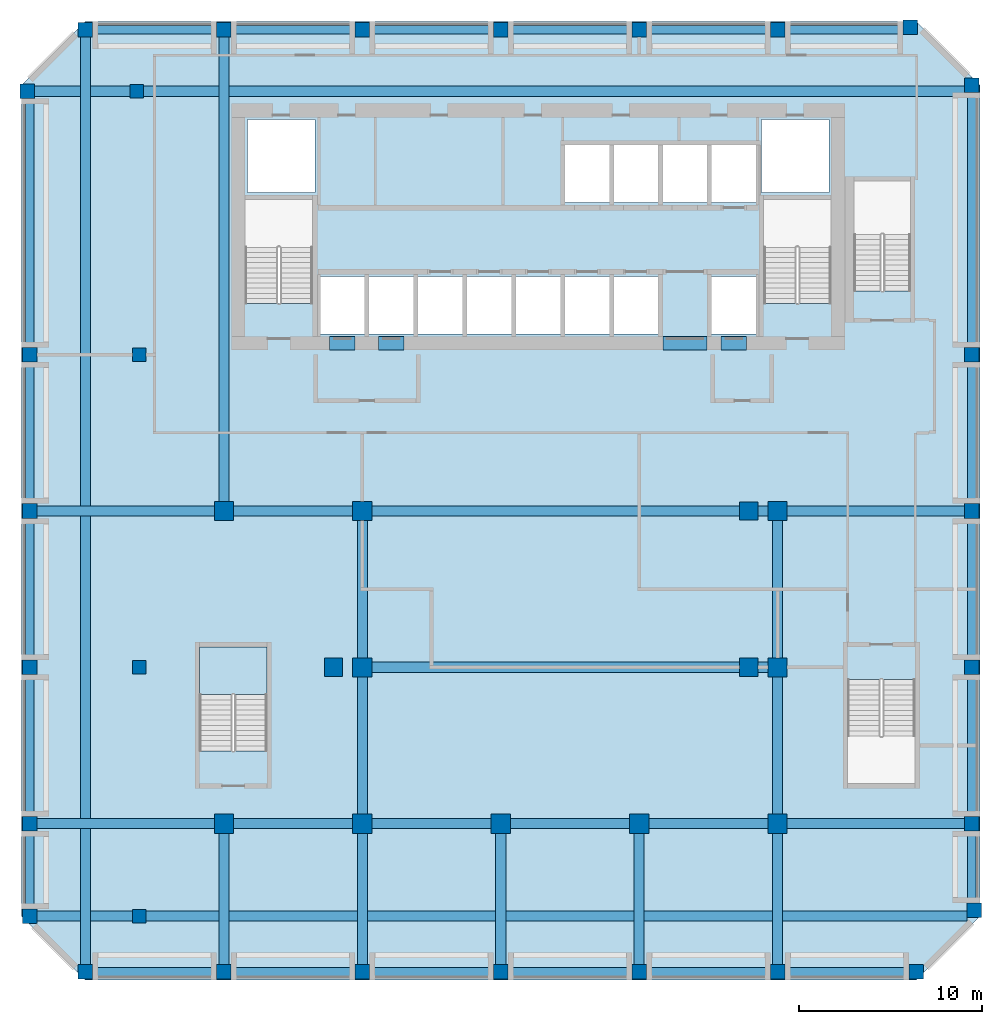
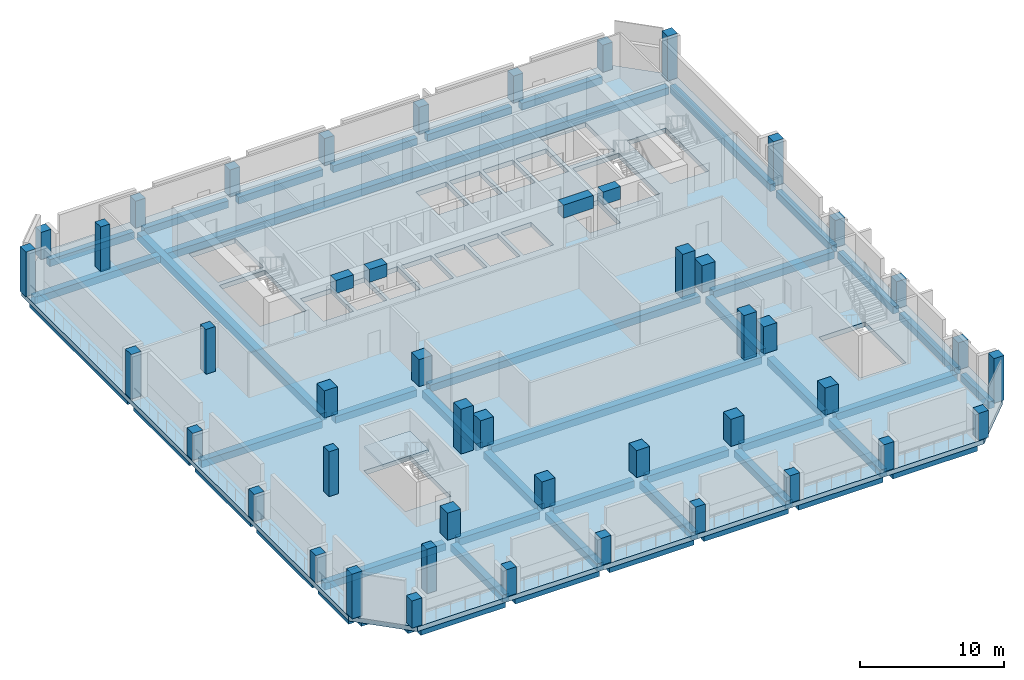
# One storey, part 1 of 9: 50 beams, 43 columns, 2 slabs, 1 element without a shape of its own.
"""IFC4 building model written with IfcOpenShell, lengths in metres."""

from ifc_helpers import new_model, si_unit, direction, frame, origin, origin_2d, place, context, subcontext, project, spatial, polyline, rectangle, outline, extrude, source, transform, mapped, material, layer, layer_set, material_profile, profile_set, type_object, element, aggregate, save


model = new_model("IFC4")

# Units and contexts
model_context = context("Model", 3, precision=1e-05, world=origin(), true_north=direction((0.0, 1.0)))
body_context = subcontext(model_context, "Body", "Model", "MODEL_VIEW")
ifc_project = project(units=[si_unit("LENGTHUNIT", "METRE"), si_unit("AREAUNIT", "SQUARE_METRE"), si_unit("VOLUMEUNIT", "CUBIC_METRE"), si_unit("PLANEANGLEUNIT", "RADIAN"), si_unit("MASSUNIT", "GRAM", prefix="KILO")], contexts=[model_context])

# Site, building, storey
site_placement = place(None, origin())
site = spatial("IfcSite", under=ifc_project, at=site_placement, CompositionType="ELEMENT")
building_placement = place(site_placement, origin())
building = spatial("IfcBuilding", under=site, at=building_placement, Name="Kilnfold Tower and Market Hall", CompositionType="ELEMENT")
storey_placement = place(building_placement, frame((0.0, 0.0, 195.699951171875)))
storey = spatial("IfcBuildingStorey", under=building, at=storey_placement, Name="L47 Plant Transfer Level", CompositionType="ELEMENT", Elevation=195.699951171875)

# Columns
ifc_material_1 = material(Name="Concrete C70", Category="concrete")
ifc_material_profile_1 = material_profile(ifc_material_1, rectangle(XDim=0.800048828125, YDim=0.800048828125, at=origin_2d()), Name="RC 800x800")
ifc_profile_set_1 = profile_set([ifc_material_profile_1], Name="Concrete C70")
column_type_1 = type_object("IfcColumnType", Name="COLUMN 800X800 C70", PredefinedType="COLUMN", material=ifc_profile_set_1)
shared_shape_1 = source(origin(), body_context, "Body", "SweptSolid", [
    extrude(rectangle(XDim=0.800048828125, YDim=0.800048828125, at=origin_2d()), origin(), (0.0, 0.0, 1.0), 2.300048828125),
])
for number, where, z_axis, x_axis, name in (
    (1, (-26.800048828125, -17.6875, 0.0), (0.0, 0.0, 1.0), (1.0, 0.0, 0.0), "Column C-B5-1C"),
    (2, (-26.800048828125, -9.125, 0.0), (0.0, 0.0, 1.0), (1.0, 0.0, 0.0), "Column C-B5-1D"),
    (3, (-26.800048828125, -0.5625, 0.0), (0.0, 0.0, 1.0), (1.0, 0.0, 0.0), "Column C-B5-1E"),
    (4, (-23.75, -25.800048828125, 0.0), (0.0, 0.0, 1.0), (1.0, 0.0, 0.0), "Column C-B5-2A"),
    (5, (-23.75, 25.800048828125, 0.0), (0.0, 0.0, 1.0), (1.0, 0.0, 0.0), "Column C-B5-2I"),
    (6, (-16.166748046875, -25.800048828125, 0.0), (0.0, 0.0, 1.0), (1.0, 0.0, 0.0), "Column C-B5-3A"),
    (7, (-16.166748046875, 25.800048828125, 0.0), (0.0, 0.0, 1.0), (1.0, 0.0, 0.0), "Column C-B5-3I"),
    (8, (-8.583251953125, -25.800048828125, 0.0), (0.0, 0.0, 1.0), (1.0, 0.0, 0.0), "Column C-B5-4A"),
    (9, (-8.583251953125, 25.800048828125, 0.0), (0.0, 0.0, 1.0), (1.0, 0.0, 0.0), "Column C-B5-4I"),
    (10, (-1.0, -25.800048828125, 0.0), (0.0, 0.0, 1.0), (1.0, 0.0, 0.0), "Column C-B5-5A"),
    (11, (-1.0, 25.800048828125, 0.0), (0.0, 0.0, 1.0), (1.0, 0.0, 0.0), "Column C-B5-5I"),
    (12, (6.583251953125, -25.800048828125, 0.0), (0.0, 0.0, 1.0), (1.0, 0.0, 0.0), "Column C-B5-6A"),
    (13, (6.583251953125, 25.800048828125, 0.0), (0.0, 0.0, 1.0), (1.0, 0.0, 0.0), "Column C-B5-6I"),
    (14, (14.166748046875, -25.800048828125, 0.0), (0.0, 0.0, 1.0), (1.0, 0.0, 0.0), "Column C-B5-7A"),
    (15, (14.166748046875, 25.800048828125, 0.0), (0.0, 0.0, 1.0), (1.0, 0.0, 0.0), "Column C-B5-7I"),
    (16, (21.431884765625, 25.931884765625, 0.0), (0.0, 0.0, 1.0), (1.0, 0.0, 0.0), "Column C-B5-8I"),
    (17, (21.75, -25.800048828125, 0.0), (0.0, 0.0, 1.0), (1.0, 0.0, 0.0), "Column C-B5-8A"),
    (18, (24.800048828125, -17.6875, 0.0), (0.0, 0.0, 1.0), (1.0, 0.0, 0.0), "Column C-B5-9C"),
    (19, (24.800048828125, -9.125, 0.0), (0.0, 0.0, 1.0), (1.0, 0.0, 0.0), "Column C-B5-9D"),
    (20, (24.800048828125, -0.5625, 0.0), (0.0, 0.0, 1.0), (1.0, 0.0, 0.0), "Column C-B5-9E"),
):
    element("IfcColumn", number, at=place(storey_placement, frame(where, z_axis=z_axis, x_axis=x_axis)), inside=storey, type_object=column_type_1, Name=name, PredefinedType="COLUMN", context=body_context, shape_type="MappedRepresentation", body=[
        mapped(shared_shape_1, transform((0.0, 0.0, 0.0))),
    ])
shared_shape_2 = source(origin(), body_context, "Body", "SweptSolid", [
    extrude(rectangle(XDim=0.800048828125, YDim=0.800048828125, at=origin_2d()), origin(), (0.0, 0.0, 1.0), 3.800048828125),
])
for number, where, z_axis, x_axis, name in (
    (21, (-26.931884765625, 22.431884765625, 0.0), (0.0, 0.0, 1.0), (1.0, 0.0, 0.0), "Column C-B5-1H"),
    (22, (-26.800048828125, -22.75, 0.0), (0.0, 0.0, 1.0), (1.0, 0.0, 0.0), "Column C-B5-1B"),
    (23, (-26.800048828125, 8.0, 0.0), (0.0, 0.0, 1.0), (1.0, 0.0, 0.0), "Column C-B5-1F"),
    (24, (24.800048828125, 8.0, 0.0), (0.0, 0.0, 1.0), (1.0, 0.0, 0.0), "Column C-B5-9F"),
    (25, (24.800048828125, 22.75, 0.0), (0.0, 0.0, 1.0), (1.0, 0.0, 0.0), "Column C-B5-9H"),
    (26, (24.931884765625, -22.431884765625, 0.0), (0.0, 0.0, 1.0), (1.0, 0.0, 0.0), "Column C-B5-9B"),
):
    element("IfcColumn", number, at=place(storey_placement, frame(where, z_axis=z_axis, x_axis=x_axis)), inside=storey, type_object=column_type_1, Name=name, PredefinedType="COLUMN", context=body_context, shape_type="MappedRepresentation", body=[
        mapped(shared_shape_2, transform((0.0, 0.0, 0.0))),
    ])
ifc_material_2 = material(Name="Concrete C70", Category="concrete")
ifc_material_profile_2 = material_profile(ifc_material_2, rectangle(XDim=1.050048828125, YDim=1.050048828125, at=origin_2d()), Name="RC 1050x1050")
ifc_profile_set_2 = profile_set([ifc_material_profile_2], Name="Concrete C70")
column_type_2 = type_object("IfcColumnType", Name="COLUMN 1050X1050 C70", PredefinedType="COLUMN", material=ifc_profile_set_2)
shared_shape_3 = source(origin(), body_context, "Body", "SweptSolid", [
    extrude(rectangle(XDim=1.050048828125, YDim=1.050048828125, at=origin_2d()), origin(), (0.0, 0.0, 1.0), 2.300048828125),
])
for number, where, z_axis, x_axis, name in (
    (27, (-16.166748046875, -17.6875, 0.0), (0.0, 0.0, 1.0), (1.0, 0.0, 0.0), "Column C-B5-3C"),
    (28, (-16.166748046875, -0.5625, 0.0), (0.0, 0.0, 1.0), (1.0, 0.0, 0.0), "Column C-B5-3E"),
    (29, (-8.583251953125, -17.6875, 0.0), (0.0, 0.0, 1.0), (1.0, 0.0, 0.0), "Column C-B5-4C"),
    (30, (-8.583251953125, -9.125, 0.0), (0.0, 0.0, 1.0), (1.0, 0.0, 0.0), "Column C-B5-4D"),
    (31, (-8.583251953125, -0.5625, 0.0), (0.0, 0.0, 1.0), (1.0, 0.0, 0.0), "Column C-B5-4E"),
    (32, (-1.0, -17.6875, 0.0), (0.0, 0.0, 1.0), (1.0, 0.0, 0.0), "Column C-B5-5C"),
    (33, (6.583251953125, -17.6875, 0.0), (0.0, 0.0, 1.0), (1.0, 0.0, 0.0), "Column C-B5-6C"),
    (34, (14.166748046875, -17.6875, 0.0), (0.0, 0.0, 1.0), (1.0, 0.0, 0.0), "Column C-B5-7C"),
    (35, (14.166748046875, -9.125, 0.0), (0.0, 0.0, 1.0), (1.0, 0.0, 0.0), "Column C-B5-7D"),
    (36, (14.166748046875, -0.5625, 0.0), (0.0, 0.0, 1.0), (1.0, 0.0, 0.0), "Column C-B5-7E"),
):
    element("IfcColumn", number, at=place(storey_placement, frame(where, z_axis=z_axis, x_axis=x_axis)), inside=storey, type_object=column_type_2, Name=name, PredefinedType="COLUMN", context=body_context, shape_type="MappedRepresentation", body=[
        mapped(shared_shape_3, transform((0.0, 0.0, 0.0))),
    ])
ifc_material_3 = material(Name="Concrete C70", Category="concrete")
ifc_material_profile_3 = material_profile(ifc_material_3, rectangle(XDim=0.75, YDim=0.75, at=origin_2d()), Name="RC 750x750")
ifc_profile_set_3 = profile_set([ifc_material_profile_3], Name="Concrete C70")
column_type_3 = type_object("IfcColumnType", Name="COLUMN 750X750 C70", PredefinedType="COLUMN", material=ifc_profile_set_3)
shared_shape_4 = source(origin(), body_context, "Body", "SweptSolid", [
    extrude(rectangle(XDim=0.75, YDim=0.75, at=origin_2d()), origin(), (0.0, 0.0, 1.0), 3.800048828125),
])
for number, where, z_axis, x_axis, name in (
    (37, (-20.800048828125, -22.75, 0.0), (0.0, 0.0, 1.0), (1.0, 0.0, 0.0), "Column C-B6-1B"),
    (38, (-20.800048828125, -9.125, 0.0), (0.0, 0.0, 1.0), (1.0, 0.0, 0.0), "Column C-B6-1D"),
    (39, (-20.800048828125, 8.0, 0.0), (0.0, 0.0, 1.0), (1.0, 0.0, 0.0), "Column C-B6-1F"),
    (40, (-20.931884765625, 22.431884765625, 0.0), (0.0, 0.0, 1.0), (1.0, 0.0, 0.0), "Column C-B6-1H"),
):
    element("IfcColumn", number, at=place(storey_placement, frame(where, z_axis=z_axis, x_axis=x_axis)), inside=storey, type_object=column_type_3, Name=name, PredefinedType="COLUMN", context=body_context, shape_type="MappedRepresentation", body=[
        mapped(shared_shape_4, transform((0.0, 0.0, 0.0))),
    ])
ifc_material_4 = material(Name="Concrete C70", Category="concrete")
ifc_material_profile_4 = material_profile(ifc_material_4, rectangle(XDim=1.0, YDim=1.0, at=origin_2d()), Name="RC 1000x1000")
ifc_profile_set_4 = profile_set([ifc_material_profile_4], Name="Concrete C70")
column_type_4 = type_object("IfcColumnType", Name="COLUMN 1000X1000 C70", PredefinedType="COLUMN", material=ifc_profile_set_4)
shared_shape_5 = source(origin(), body_context, "Body", "SweptSolid", [
    extrude(rectangle(XDim=1.0, YDim=1.0, at=origin_2d()), origin(), (0.0, 0.0, 1.0), 3.800048828125),
])
for number, where, z_axis, x_axis, name in (
    (41, (-10.166748046875, -9.125, 0.0), (0.0, 0.0, 1.0), (1.0, 0.0, 0.0), "Column C-B6-3D"),
    (42, (12.583251953125, -9.125, 0.0), (0.0, 0.0, 1.0), (1.0, 0.0, 0.0), "Column C-B6-6D"),
    (43, (12.583251953125, -0.5625, 0.0), (0.0, 0.0, 1.0), (1.0, 0.0, 0.0), "Column C-B6-6E"),
):
    element("IfcColumn", number, at=place(storey_placement, frame(where, z_axis=z_axis, x_axis=x_axis)), inside=storey, type_object=column_type_4, Name=name, PredefinedType="COLUMN", context=body_context, shape_type="MappedRepresentation", body=[
        mapped(shared_shape_5, transform((0.0, 0.0, 0.0))),
    ])

# Beams
ifc_material_5 = material(Name="Concrete C45", Category="concrete")
ifc_material_profile_5 = material_profile(ifc_material_5, rectangle(XDim=0.449951171875, YDim=0.60009765625, at=origin_2d()), Name="RC 450x600")
ifc_profile_set_5 = profile_set([ifc_material_profile_5], Name="Concrete C45")
beam_type_1 = type_object("IfcBeamType", Name="EDGE BEAM 450X600 C45", PredefinedType="BEAM", material=ifc_profile_set_5)
shared_shape_6 = source(origin(), body_context, "Body", "SweptSolid", [
    extrude(rectangle(XDim=0.449951171875, YDim=0.60009765625, at=origin_2d()), origin(), (0.0, 0.0, 1.0), 6.783447265625),
])
for number, where, z_axis, x_axis, name in (
    (44, (-23.35009765625, -25.800048828125, -0.699951171875), (1.0, 0.0, 0.0), (0.0, 1.0, 0.0), "Beam EB600-B5.45"),
    (45, (-8.183349609375, -25.800048828125, -0.699951171875), (1.0, 0.0, 0.0), (0.0, 1.0, 0.0), "Beam EB600-B5.47"),
    (46, (-0.60009765625, -25.800048828125, -0.699951171875), (1.0, 0.0, 0.0), (0.0, 1.0, 0.0), "Beam EB600-B5.48"),
    (47, (14.566650390625, -25.800048828125, -0.699951171875), (1.0, 0.0, 0.0), (0.0, 1.0, 0.0), "Beam EB600-B5.50"),
    (48, (-23.35009765625, 25.800048828125, -0.699951171875), (1.0, 0.0, 0.0), (0.0, 1.0, 0.0), "Beam EB600-B5.59"),
    (49, (-8.183349609375, 25.800048828125, -0.699951171875), (1.0, 0.0, 0.0), (0.0, 1.0, 0.0), "Beam EB600-B5.61"),
    (50, (-0.60009765625, 25.800048828125, -0.699951171875), (1.0, 0.0, 0.0), (0.0, 1.0, 0.0), "Beam EB600-B5.62"),
):
    element("IfcBeam", number, at=place(storey_placement, frame(where, z_axis=z_axis, x_axis=x_axis)), inside=storey, type_object=beam_type_1, Name=name, PredefinedType="BEAM", context=body_context, shape_type="MappedRepresentation", body=[
        mapped(shared_shape_6, transform((0.0, 0.0, 0.0))),
    ])
shared_shape_7 = source(origin(), body_context, "Body", "SweptSolid", [
    extrude(rectangle(XDim=0.449951171875, YDim=0.60009765625, at=origin_2d()), origin(), (0.0, 0.0, 1.0), 6.783203125),
])
for number, where, z_axis, x_axis, name in (
    (51, (-15.7666015625, -25.800048828125, -0.699951171875), (1.0, 0.0, 0.0), (0.0, 1.0, 0.0), "Beam EB600-B5.46"),
    (52, (6.9833984375, -25.800048828125, -0.699951171875), (1.0, 0.0, 0.0), (0.0, 1.0, 0.0), "Beam EB600-B5.49"),
    (53, (-15.7666015625, 25.800048828125, -0.699951171875), (1.0, 0.0, 0.0), (0.0, 1.0, 0.0), "Beam EB600-B5.60"),
    (54, (6.9833984375, 25.800048828125, -0.699951171875), (1.0, 0.0, 0.0), (0.0, 1.0, 0.0), "Beam EB600-B5.63"),
):
    element("IfcBeam", number, at=place(storey_placement, frame(where, z_axis=z_axis, x_axis=x_axis)), inside=storey, type_object=beam_type_1, Name=name, PredefinedType="BEAM", context=body_context, shape_type="MappedRepresentation", body=[
        mapped(shared_shape_7, transform((0.0, 0.0, 0.0))),
    ])
ifc_material_6 = material(Name="Concrete C45", Category="concrete")
ifc_material_profile_6 = material_profile(ifc_material_6, rectangle(XDim=0.550048828125, YDim=0.60009765625, at=origin_2d()), Name="RC 550x600")
ifc_profile_set_6 = profile_set([ifc_material_profile_6], Name="Concrete C45")
beam_type_2 = type_object("IfcBeamType", Name="BEAM 550X600 C45", PredefinedType="BEAM", material=ifc_profile_set_6)
shared_shape_8 = source(origin(), body_context, "Body", "SweptSolid", [
    extrude(rectangle(XDim=0.550048828125, YDim=0.60009765625, at=origin_2d()), origin(), (0.0, 0.0, 1.0), 50.931640625),
])
for number, where, z_axis, x_axis, name in (
    (55, (-26.39990234375, -22.75, -0.699951171875), (1.0, 0.0, 0.0), (0.0, 1.0, 0.0), "Beam BB600-B5.51"),
    (56, (-26.53173828125, 22.429931640625, -0.699951171875), (1.0, 0.0, 0.0), (0.0, 1.0, 0.0), "Beam BB600-B5.58"),
):
    element("IfcBeam", number, at=place(storey_placement, frame(where, z_axis=z_axis, x_axis=x_axis)), inside=storey, type_object=beam_type_2, Name=name, PredefinedType="BEAM", context=body_context, shape_type="MappedRepresentation", body=[
        mapped(shared_shape_8, transform((0.0, 0.0, 0.0))),
    ])
shared_shape_9 = source(origin(), body_context, "Body", "SweptSolid", [
    extrude(rectangle(XDim=0.449951171875, YDim=0.60009765625, at=origin_2d()), origin(), (0.0, 0.0, 1.0), 6.465087890625),
])
beam_1_placement = place(storey_placement, frame((14.566650390625, 25.800048828125, -0.699951171875), z_axis=(1.0, 0.0, 0.0), x_axis=(0.0, 1.0, 0.0)))
element("IfcBeam", 57, at=beam_1_placement, inside=storey, type_object=beam_type_1, Name="Beam EB600-B5.64", PredefinedType="BEAM", context=body_context, shape_type="MappedRepresentation", body=[
    mapped(shared_shape_9, transform((0.0, 0.0, 0.0))),
])
shared_shape_10 = source(origin(), body_context, "Body", "SweptSolid", [
    extrude(rectangle(XDim=0.550048828125, YDim=0.60009765625, at=origin_2d()), origin(), (0.0, 0.0, 1.0), 50.7998046875),
])
beam_2_placement = place(storey_placement, frame((-23.75, -25.39990234375, -0.699951171875), z_axis=(0.0, 1.0, 0.0), x_axis=(-1.0, 0.0, 0.0)))
element("IfcBeam", 58, at=beam_2_placement, inside=storey, type_object=beam_type_2, Name="Beam BB600-B5.70", PredefinedType="BEAM", context=body_context, shape_type="MappedRepresentation", body=[
    mapped(shared_shape_10, transform((0.0, 0.0, 0.0))),
])
shared_shape_11 = source(origin(), body_context, "Body", "SweptSolid", [
    extrude(rectangle(XDim=0.550048828125, YDim=0.60009765625, at=origin_2d()), origin(), (0.0, 0.0, 1.0), 9.708251953125),
])
for number, where, z_axis, x_axis, name in (
    (59, (-26.39990234375, -17.68994140625, -0.699951171875), (1.0, 0.0, 0.0), (0.0, 1.0, 0.0), "Beam BB600-B5.52"),
    (60, (14.691650390625, -17.68994140625, -0.699951171875), (1.0, 0.0, 0.0), (0.0, 1.0, 0.0), "Beam BB600-B5.53"),
    (61, (-26.39990234375, -0.56005859375, -0.699951171875), (1.0, 0.0, 0.0), (0.0, 1.0, 0.0), "Beam BB600-B5.55"),
    (62, (14.691650390625, -0.56005859375, -0.699951171875), (1.0, 0.0, 0.0), (0.0, 1.0, 0.0), "Beam BB600-B5.57"),
):
    element("IfcBeam", number, at=place(storey_placement, frame(where, z_axis=z_axis, x_axis=x_axis)), inside=storey, type_object=beam_type_2, Name=name, PredefinedType="BEAM", context=body_context, shape_type="MappedRepresentation", body=[
        mapped(shared_shape_11, transform((0.0, 0.0, 0.0))),
    ])
shared_shape_12 = source(origin(), body_context, "Body", "SweptSolid", [
    extrude(rectangle(XDim=0.550048828125, YDim=0.60009765625, at=origin_2d()), origin(), (0.0, 0.0, 1.0), 21.699951171875),
])
for number, where, z_axis, x_axis, name in (
    (63, (-8.058349609375, -9.1201171875, -0.699951171875), (1.0, 0.0, 0.0), (0.0, 1.0, 0.0), "Beam BB600-B5.54"),
    (64, (-8.058349609375, -0.56005859375, -0.699951171875), (1.0, 0.0, 0.0), (0.0, 1.0, 0.0), "Beam BB600-B5.56"),
):
    element("IfcBeam", number, at=place(storey_placement, frame(where, z_axis=z_axis, x_axis=x_axis)), inside=storey, type_object=beam_type_2, Name=name, PredefinedType="BEAM", context=body_context, shape_type="MappedRepresentation", body=[
        mapped(shared_shape_12, transform((0.0, 0.0, 0.0))),
    ])
shared_shape_13 = source(origin(), body_context, "Body", "SweptSolid", [
    extrude(rectangle(XDim=0.449951171875, YDim=0.60009765625, at=origin_2d()), origin(), (0.0, 0.0, 1.0), 4.2626953125),
])
beam_3_placement = place(storey_placement, frame((-26.800048828125, -22.35009765625, -0.699951171875), z_axis=(0.0, 1.0, 0.0), x_axis=(-1.0, 0.0, 0.0)))
element("IfcBeam", 65, at=beam_3_placement, inside=storey, type_object=beam_type_1, Name="Beam EB600-B5.65", PredefinedType="BEAM", context=body_context, shape_type="MappedRepresentation", body=[
    mapped(shared_shape_13, transform((0.0, 0.0, 0.0))),
])
shared_shape_14 = source(origin(), body_context, "Body", "SweptSolid", [
    extrude(rectangle(XDim=0.449951171875, YDim=0.60009765625, at=origin_2d()), origin(), (0.0, 0.0, 1.0), 7.7626953125),
])
for number, where, z_axis, x_axis, name in (
    (66, (-26.800048828125, -17.28759765625, -0.699951171875), (0.0, 1.0, 0.0), (-1.0, 0.0, 0.0), "Beam EB600-B5.66"),
    (67, (-26.800048828125, -8.72509765625, -0.699951171875), (0.0, 1.0, 0.0), (-1.0, 0.0, 0.0), "Beam EB600-B5.67"),
    (68, (-26.800048828125, -0.16259765625, -0.699951171875), (0.0, 1.0, 0.0), (-1.0, 0.0, 0.0), "Beam EB600-B5.68"),
    (69, (24.800048828125, -17.28759765625, -0.699951171875), (0.0, 1.0, 0.0), (-1.0, 0.0, 0.0), "Beam EB600-B5.76"),
    (70, (24.800048828125, -8.72509765625, -0.699951171875), (0.0, 1.0, 0.0), (-1.0, 0.0, 0.0), "Beam EB600-B5.77"),
    (71, (24.800048828125, -0.16259765625, -0.699951171875), (0.0, 1.0, 0.0), (-1.0, 0.0, 0.0), "Beam EB600-B5.78"),
):
    element("IfcBeam", number, at=place(storey_placement, frame(where, z_axis=z_axis, x_axis=x_axis)), inside=storey, type_object=beam_type_1, Name=name, PredefinedType="BEAM", context=body_context, shape_type="MappedRepresentation", body=[
        mapped(shared_shape_14, transform((0.0, 0.0, 0.0))),
    ])
shared_shape_15 = source(origin(), body_context, "Body", "SweptSolid", [
    extrude(rectangle(XDim=0.449951171875, YDim=0.60009765625, at=origin_2d()), origin(), (0.0, 0.0, 1.0), 13.6318359375),
])
beam_4_placement = place(storey_placement, frame((-26.800048828125, 8.39990234375, -0.699951171875), z_axis=(0.0, 1.0, 0.0), x_axis=(-1.0, 0.0, 0.0)))
element("IfcBeam", 72, at=beam_4_placement, inside=storey, type_object=beam_type_1, Name="Beam EB600-B5.69", PredefinedType="BEAM", context=body_context, shape_type="MappedRepresentation", body=[
    mapped(shared_shape_15, transform((0.0, 0.0, 0.0))),
])
shared_shape_16 = source(origin(), body_context, "Body", "SweptSolid", [
    extrude(rectangle(XDim=0.550048828125, YDim=0.60009765625, at=origin_2d()), origin(), (0.0, 0.0, 1.0), 7.5126953125),
])
for number, where, z_axis, x_axis, name in (
    (73, (-8.580078125, -17.16259765625, -0.699951171875), (0.0, 1.0, 0.0), (-1.0, 0.0, 0.0), "Beam BB600-B5.71"),
    (74, (-8.580078125, -8.60009765625, -0.699951171875), (0.0, 1.0, 0.0), (-1.0, 0.0, 0.0), "Beam BB600-B5.72"),
    (75, (14.169921875, -17.16259765625, -0.699951171875), (0.0, 1.0, 0.0), (-1.0, 0.0, 0.0), "Beam BB600-B5.73"),
    (76, (14.169921875, -8.60009765625, -0.699951171875), (0.0, 1.0, 0.0), (-1.0, 0.0, 0.0), "Beam BB600-B5.74"),
):
    element("IfcBeam", number, at=place(storey_placement, frame(where, z_axis=z_axis, x_axis=x_axis)), inside=storey, type_object=beam_type_2, Name=name, PredefinedType="BEAM", context=body_context, shape_type="MappedRepresentation", body=[
        mapped(shared_shape_16, transform((0.0, 0.0, 0.0))),
    ])
shared_shape_17 = source(origin(), body_context, "Body", "SweptSolid", [
    extrude(rectangle(XDim=0.449951171875, YDim=0.60009765625, at=origin_2d()), origin(), (0.0, 0.0, 1.0), 3.9443359375),
])
beam_5_placement = place(storey_placement, frame((24.800048828125, -22.03173828125, -0.699951171875), z_axis=(0.0, 1.0, 0.0), x_axis=(-1.0, 0.0, 0.0)))
element("IfcBeam", 77, at=beam_5_placement, inside=storey, type_object=beam_type_1, Name="Beam EB600-B5.75", PredefinedType="BEAM", context=body_context, shape_type="MappedRepresentation", body=[
    mapped(shared_shape_17, transform((0.0, 0.0, 0.0))),
])
shared_shape_18 = source(origin(), body_context, "Body", "SweptSolid", [
    extrude(rectangle(XDim=0.449951171875, YDim=0.60009765625, at=origin_2d()), origin(), (0.0, 0.0, 1.0), 13.9501953125),
])
beam_6_placement = place(storey_placement, frame((24.800048828125, 8.39990234375, -0.699951171875), z_axis=(0.0, 1.0, 0.0), x_axis=(-1.0, 0.0, 0.0)))
element("IfcBeam", 78, at=beam_6_placement, inside=storey, type_object=beam_type_1, Name="Beam EB600-B5.79", PredefinedType="BEAM", context=body_context, shape_type="MappedRepresentation", body=[
    mapped(shared_shape_18, transform((0.0, 0.0, 0.0))),
])
shared_shape_19 = source(origin(), body_context, "Body", "SweptSolid", [
    extrude(rectangle(XDim=0.550048828125, YDim=0.60009765625, at=origin_2d()), origin(), (0.0, 0.0, 1.0), 25.4375),
])
beam_7_placement = place(storey_placement, frame((-16.169921875, -0.03759765625, -0.699951171875), z_axis=(0.0, 1.0, 0.0), x_axis=(-1.0, 0.0, 0.0)))
element("IfcBeam", 79, at=beam_7_placement, inside=storey, type_object=beam_type_2, Name="Beam BB600-B5.80", PredefinedType="BEAM", context=body_context, shape_type="MappedRepresentation", body=[
    mapped(shared_shape_19, transform((0.0, 0.0, 0.0))),
])
ifc_material_7 = material(Name="Concrete C60", Category="concrete")
ifc_material_profile_7 = material_profile(ifc_material_7, rectangle(XDim=0.75, YDim=1.10009765625, at=origin_2d()), Name="RC 750x1100")
ifc_profile_set_7 = profile_set([ifc_material_profile_7], Name="Concrete C60")
beam_type_3 = type_object("IfcBeamType", Name="COUPLING BEAM 750X1100 C60", PredefinedType="BEAM", material=ifc_profile_set_7)
shared_shape_20 = source(origin(), body_context, "Body", "SweptSolid", [
    extrude(rectangle(XDim=0.75, YDim=1.10009765625, at=origin_2d()), origin(), (0.0, 0.0, 1.0), 1.400146484375),
])
beam_8_placement = place(storey_placement, frame((-10.3701171875, 8.625, 3.25), z_axis=(1.0, 0.0, 0.0), x_axis=(0.0, 1.0, 0.0)))
element("IfcBeam", 80, at=beam_8_placement, inside=storey, type_object=beam_type_3, Name="Coupling beam CB1100-60-CORE.37", PredefinedType="BEAM", context=body_context, shape_type="MappedRepresentation", body=[
    mapped(shared_shape_20, transform((0.0, 0.0, 0.0))),
])
shared_shape_21 = source(origin(), body_context, "Body", "SweptSolid", [
    extrude(rectangle(XDim=0.75, YDim=1.10009765625, at=origin_2d()), origin(), (0.0, 0.0, 1.0), 1.39990234375),
])
for number, where, z_axis, x_axis, name in (
    (81, (-7.68994140625, 8.625, 3.25), (1.0, 0.0, 0.0), (0.0, 1.0, 0.0), "Coupling beam CB1100-60-CORE.38"),
    (82, (11.070068359375, 8.625, 3.25), (1.0, 0.0, 0.0), (0.0, 1.0, 0.0), "Coupling beam CB1100-60-CORE.40"),
):
    element("IfcBeam", number, at=place(storey_placement, frame(where, z_axis=z_axis, x_axis=x_axis)), inside=storey, type_object=beam_type_3, Name=name, PredefinedType="BEAM", context=body_context, shape_type="MappedRepresentation", body=[
        mapped(shared_shape_21, transform((0.0, 0.0, 0.0))),
    ])
shared_shape_22 = source(origin(), body_context, "Body", "SweptSolid", [
    extrude(rectangle(XDim=0.75, YDim=1.10009765625, at=origin_2d()), origin(), (0.0, 0.0, 1.0), 2.400146484375),
])
beam_9_placement = place(storey_placement, frame((7.889892578125, 8.625, 3.25), z_axis=(1.0, 0.0, 0.0), x_axis=(0.0, 1.0, 0.0)))
element("IfcBeam", 83, at=beam_9_placement, inside=storey, type_object=beam_type_3, Name="Coupling beam CB1100-60-CORE.39", PredefinedType="BEAM", context=body_context, shape_type="MappedRepresentation", body=[
    mapped(shared_shape_22, transform((0.0, 0.0, 0.0))),
])
shared_shape_23 = source(origin(), body_context, "Body", "SweptSolid", [
    extrude(rectangle(XDim=0.550048828125, YDim=0.60009765625, at=origin_2d()), origin(), (0.0, 0.0, 1.0), 6.533203125),
])
for number, where, z_axis, x_axis, name in (
    (84, (-15.6416015625, -17.68994140625, -0.699951171875), (1.0, 0.0, 0.0), (0.0, 1.0, 0.0), "Beam BB600-B5.81"),
    (85, (7.1083984375, -17.68994140625, -0.699951171875), (1.0, 0.0, 0.0), (0.0, 1.0, 0.0), "Beam BB600-B5.84"),
    (86, (-15.6416015625, -0.56005859375, -0.699951171875), (1.0, 0.0, 0.0), (0.0, 1.0, 0.0), "Beam BB600-B5.85"),
):
    element("IfcBeam", number, at=place(storey_placement, frame(where, z_axis=z_axis, x_axis=x_axis)), inside=storey, type_object=beam_type_2, Name=name, PredefinedType="BEAM", context=body_context, shape_type="MappedRepresentation", body=[
        mapped(shared_shape_23, transform((0.0, 0.0, 0.0))),
    ])
shared_shape_24 = source(origin(), body_context, "Body", "SweptSolid", [
    extrude(rectangle(XDim=0.550048828125, YDim=0.60009765625, at=origin_2d()), origin(), (0.0, 0.0, 1.0), 6.533447265625),
])
for number, where, z_axis, x_axis, name in (
    (87, (-8.058349609375, -17.68994140625, -0.699951171875), (1.0, 0.0, 0.0), (0.0, 1.0, 0.0), "Beam BB600-B5.82"),
    (88, (-0.47509765625, -17.68994140625, -0.699951171875), (1.0, 0.0, 0.0), (0.0, 1.0, 0.0), "Beam BB600-B5.83"),
):
    element("IfcBeam", number, at=place(storey_placement, frame(where, z_axis=z_axis, x_axis=x_axis)), inside=storey, type_object=beam_type_2, Name=name, PredefinedType="BEAM", context=body_context, shape_type="MappedRepresentation", body=[
        mapped(shared_shape_24, transform((0.0, 0.0, 0.0))),
    ])
shared_shape_25 = source(origin(), body_context, "Body", "SweptSolid", [
    extrude(rectangle(XDim=0.550048828125, YDim=0.60009765625, at=origin_2d()), origin(), (0.0, 0.0, 1.0), 7.1875),
])
for number, where, z_axis, x_axis, name in (
    (89, (-16.169921875, -25.39990234375, -0.699951171875), (0.0, 1.0, 0.0), (-1.0, 0.0, 0.0), "Beam BB600-B5.86"),
    (90, (-8.580078125, -25.39990234375, -0.699951171875), (0.0, 1.0, 0.0), (-1.0, 0.0, 0.0), "Beam BB600-B5.87"),
    (91, (-1.0, -25.39990234375, -0.699951171875), (0.0, 1.0, 0.0), (-1.0, 0.0, 0.0), "Beam BB600-B5.88"),
    (92, (6.580078125, -25.39990234375, -0.699951171875), (0.0, 1.0, 0.0), (-1.0, 0.0, 0.0), "Beam BB600-B5.89"),
    (93, (14.169921875, -25.39990234375, -0.699951171875), (0.0, 1.0, 0.0), (-1.0, 0.0, 0.0), "Beam BB600-B5.90"),
):
    element("IfcBeam", number, at=place(storey_placement, frame(where, z_axis=z_axis, x_axis=x_axis)), inside=storey, type_object=beam_type_2, Name=name, PredefinedType="BEAM", context=body_context, shape_type="MappedRepresentation", body=[
        mapped(shared_shape_25, transform((0.0, 0.0, 0.0))),
    ])

# Slab
ifc_material_8 = material(Name="Concrete C45", Category="concrete")
ifc_layer_1 = layer(ifc_material_8, 0.39990234375)
ifc_layer_set_1 = layer_set([ifc_layer_1], Name="Concrete C45")
slab_type_1 = type_object("IfcSlabType", Name="FLOOR SLAB 400", PredefinedType="FLOOR", material=ifc_layer_set_1)
shared_shape_26 = source(origin(), body_context, "Body", "SweptSolid", [
    extrude(outline(polyline([(-23.75, -26.25), (21.75, -26.25), (25.25, -22.75), (25.25, 22.75), (21.75, 26.25), (-23.75, 26.25), (-27.25, 22.75), (-27.25, -22.75), (-23.75, -26.25)]), holes=[polyline([(-13.800537109375, -13.699462890625), (-17.49951171875, -13.699462890625), (-17.49951171875, -8.00048828125), (-13.800537109375, -8.00048828125), (-13.800537109375, -13.699462890625)]), polyline([(-14.99951171875, 10.800537109375), (-14.99951171875, 16.49951171875), (-11.300537109375, 16.49951171875), (-11.300537109375, 10.800537109375), (-14.99951171875, 10.800537109375)]), polyline([(-11.175048828125, 16.875), (-14.875, 16.875), (-14.875, 20.875), (-11.175048828125, 20.875), (-11.175048828125, 16.875)]), polyline([(-8.455078125, 9.125), (-10.885009765625, 9.125), (-10.885009765625, 12.27490234375), (-8.455078125, 12.27490234375), (-8.455078125, 9.125)]), polyline([(-5.77490234375, 9.125), (-8.205078125, 9.125), (-8.205078125, 12.27490234375), (-5.77490234375, 12.27490234375), (-5.77490234375, 9.125)]), polyline([(-3.094970703125, 9.125), (-5.52490234375, 9.125), (-5.52490234375, 12.27490234375), (-3.094970703125, 12.27490234375), (-3.094970703125, 9.125)]), polyline([(-0.4150390625, 9.125), (-2.844970703125, 9.125), (-2.844970703125, 12.27490234375), (-0.4150390625, 12.27490234375), (-0.4150390625, 9.125)]), polyline([(2.264892578125, 9.125), (-0.1650390625, 9.125), (-0.1650390625, 12.27490234375), (2.264892578125, 12.27490234375), (2.264892578125, 9.125)]), polyline([(4.945068359375, 9.125), (2.514892578125, 9.125), (2.514892578125, 12.27490234375), (4.945068359375, 12.27490234375), (4.945068359375, 9.125)]), polyline([(2.514892578125, 16.324951171875), (2.514892578125, 19.47509765625), (4.945068359375, 19.47509765625), (4.945068359375, 16.324951171875), (2.514892578125, 16.324951171875)]), polyline([(7.625, 9.125), (5.195068359375, 9.125), (5.195068359375, 12.27490234375), (7.625, 12.27490234375), (7.625, 9.125)]), polyline([(7.625, 16.324951171875), (5.195068359375, 16.324951171875), (5.195068359375, 19.47509765625), (7.625, 19.47509765625), (7.625, 16.324951171875)]), polyline([(10.304931640625, 16.324951171875), (7.875, 16.324951171875), (7.875, 19.47509765625), (10.304931640625, 19.47509765625), (10.304931640625, 16.324951171875)]), polyline([(10.554931640625, 9.125), (10.554931640625, 12.27490234375), (12.985107421875, 12.27490234375), (12.985107421875, 9.125), (10.554931640625, 9.125)]), polyline([(10.554931640625, 16.324951171875), (10.554931640625, 19.47509765625), (12.985107421875, 19.47509765625), (12.985107421875, 16.324951171875), (10.554931640625, 16.324951171875)]), polyline([(13.27490234375, 16.875), (13.27490234375, 20.875), (16.97509765625, 20.875), (16.97509765625, 16.875), (13.27490234375, 16.875)]), polyline([(13.400390625, 10.800537109375), (13.400390625, 16.49951171875), (17.099609375, 16.49951171875), (17.099609375, 10.800537109375), (13.400390625, 10.800537109375)]), polyline([(18.00048828125, -9.800537109375), (21.699462890625, -9.800537109375), (21.699462890625, -15.49951171875), (18.00048828125, -15.49951171875), (18.00048828125, -9.800537109375)]), polyline([(21.449462890625, 11.50048828125), (18.3505859375, 11.50048828125), (18.3505859375, 17.49951171875), (21.449462890625, 17.49951171875), (21.449462890625, 11.50048828125)])]), origin(), (0.0, 0.0, 1.0), 0.400146484375),
])
slab_1_placement = place(storey_placement, frame((0.0, 0.0, -0.400146484375)))
element("IfcSlab", 94, at=slab_1_placement, inside=storey, type_object=slab_type_1, Name="Floor slab L47", PredefinedType="FLOOR", context=body_context, shape_type="MappedRepresentation", body=[
    mapped(shared_shape_26, transform((0.0, 0.0, 0.0))),
])

# Stair, slab
ifc_material_9 = material(Name="Concrete C40/50", Category="concrete")
stair_type = type_object("IfcStairType", Name="CORE STAIR 1800", PredefinedType="HALF_TURN_STAIR", material=ifc_material_9)
stair_placement = place(storey_placement, origin())
stair = element("IfcStair", 95, at=stair_placement, inside=storey, type_object=stair_type, Name="L47 Plant Transfer Level ST3", PredefinedType="HALF_TURN_STAIR")
ifc_material_10 = material(Name="Concrete C40/50", Category="concrete")
ifc_layer_2 = layer(ifc_material_10, 0.199951171875)
ifc_layer_set_2 = layer_set([ifc_layer_2], Name="Concrete C40/50")
slab_type_2 = type_object("IfcSlabType", Name="CORE STAIR LANDING 200", PredefinedType="LANDING", material=ifc_layer_set_2)
shared_shape_27 = source(origin(), body_context, "Body", "SweptSolid", [
    extrude(outline(polyline([(-13.800048828125, -10.6201171875), (-13.800048828125, -8.0), (-17.5, -8.0), (-17.5, -10.6201171875), (-13.800048828125, -10.6201171875)])), origin(), (0.0, 0.0, 1.0), 0.199951171875),
])
slab_2_placement = place(storey_placement, frame((0.0, 0.0, 1.900146484375)))
slab_2 = element("IfcSlab", 96, at=slab_2_placement, type_object=slab_type_2, Name="ST3 landing 1", PredefinedType="LANDING", context=body_context, shape_type="MappedRepresentation", body=[
    mapped(shared_shape_27, transform((0.0, 0.0, 0.0))),
])
aggregate(stair, [slab_2])

save(model, "model.ifc")
